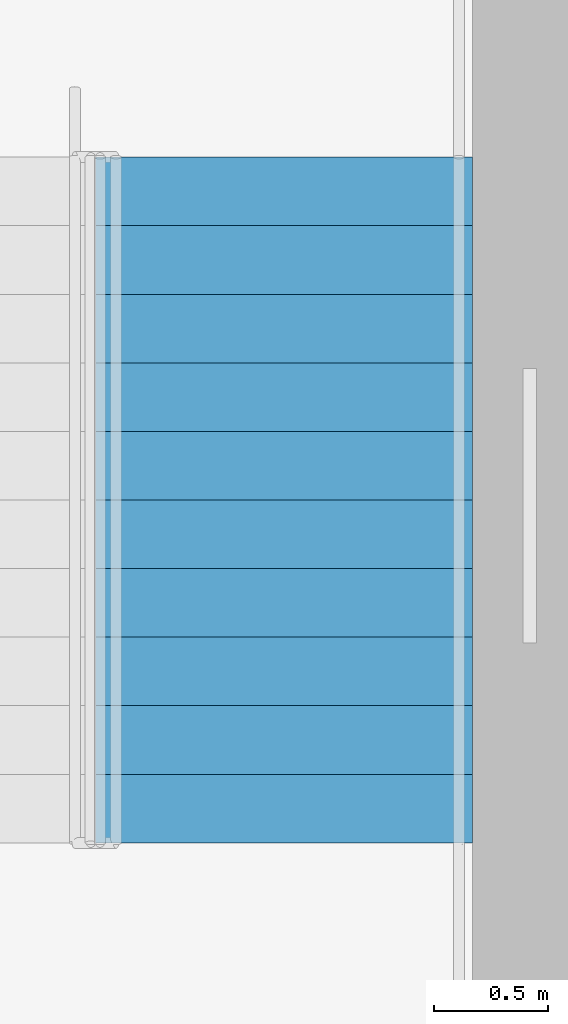
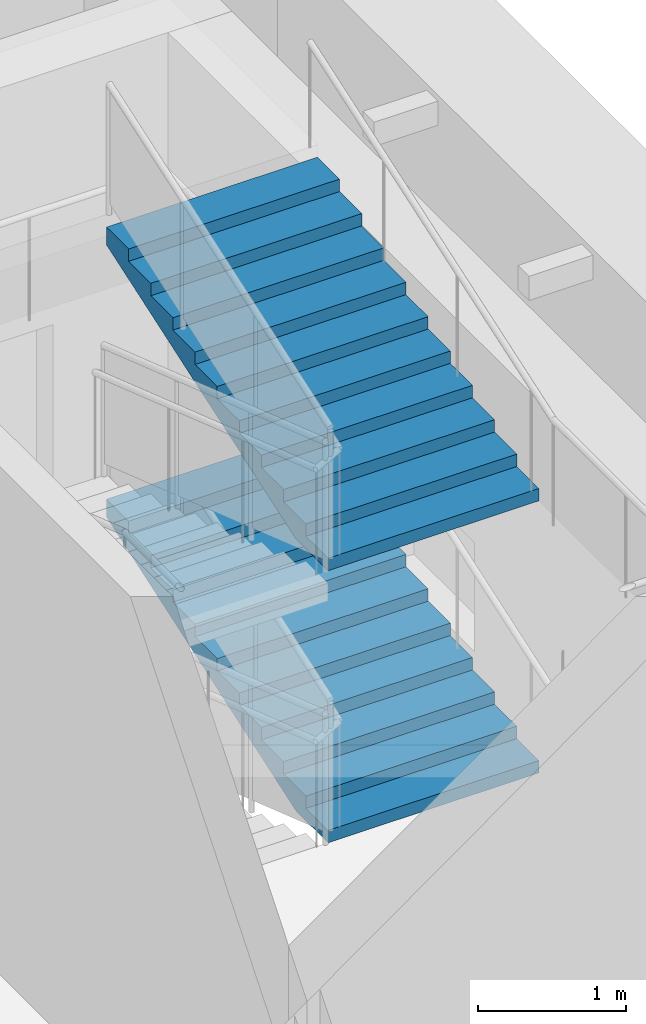
# One storey, part 43 of 56: 2 stair flights, 1 element without a shape of its own.
"""IFC4 building model written with IfcOpenShell, lengths in metres."""

from ifc_helpers import new_model, si_unit, direction, frame, origin, place, context, subcontext, project, spatial, faceted_brep, material, type_object, element, aggregate, save


model = new_model("IFC4")

# Units and contexts
model_context = context("Model", 3, precision=1e-05, world=origin(), true_north=direction((0.0, 1.0)))
body_context = subcontext(model_context, "Body", "Model", "MODEL_VIEW")
ifc_project = project(units=[si_unit("LENGTHUNIT", "METRE"), si_unit("AREAUNIT", "SQUARE_METRE"), si_unit("VOLUMEUNIT", "CUBIC_METRE"), si_unit("PLANEANGLEUNIT", "RADIAN"), si_unit("MASSUNIT", "GRAM", prefix="KILO")], contexts=[model_context])

# Site, building, storey
site_placement = place(None, origin())
site = spatial("IfcSite", under=ifc_project, at=site_placement, CompositionType="ELEMENT")
building_placement = place(site_placement, origin())
building = spatial("IfcBuilding", under=site, at=building_placement, Name="Rulbaag Community and Learning Centre", CompositionType="ELEMENT")
storey_placement = place(building_placement, frame((0.0, 0.0, 9.89990234375)))
storey = spatial("IfcBuildingStorey", under=building, at=storey_placement, Name="L02", CompositionType="ELEMENT", Elevation=9.89990234375)

# Stair, stair flights
ifc_material = material(Name="Concrete M40", Category="concrete")
stair_type = type_object("IfcStairType", Name="ST-1650 STAIR 1650 WIDE", PredefinedType="HALF_TURN_STAIR", material=ifc_material)
stair_placement = place(storey_placement, origin())
stair = element("IfcStair", 1, at=stair_placement, inside=storey, type_object=stair_type, Name="Stair ST2 L02", PredefinedType="HALF_TURN_STAIR")
stair_flight_type = type_object("IfcStairFlightType", Name="FL-1650 FLIGHT 1650 WIDE Concrete M40", PredefinedType="STRAIGHT", material=ifc_material)
stair_flight_1_placement = place(storey_placement, frame((166.675048828125, 103.925048828125, 1.125), z_axis=(0.0, 0.0, 1.0), x_axis=(0.0, 1.0, 0.0)))
stair_flight_1 = element("IfcStairFlight", 2, at=stair_flight_1_placement, type_object=stair_flight_type, Name="ST2 flight 2", NumberOfRisers=11, NumberOfTreads=10, PredefinedType="STRAIGHT", RiserHeight=0.102272727, TreadLength=0.3, context=body_context, shape_type="Brep", body=[
    faceted_brep([(0.43359375, -0.824951171875, 0.0), (3.0, -0.824951171875, 0.875), (3.0, -0.824951171875, 1.022705078125), (2.699951171875, -0.824951171875, 1.022705078125), (2.699951171875, -0.824951171875, 0.92041015625), (2.39990234375, -0.824951171875, 0.92041015625), (2.39990234375, -0.824951171875, 0.818115234375), (2.10009765625, -0.824951171875, 0.818115234375), (2.10009765625, -0.824951171875, 0.7158203125), (1.800048828125, -0.824951171875, 0.7158203125), (1.800048828125, -0.824951171875, 0.613525390625), (1.5, -0.824951171875, 0.613525390625), (1.5, -0.824951171875, 0.511474609375), (1.199951171875, -0.824951171875, 0.511474609375), (1.199951171875, -0.824951171875, 0.4091796875), (0.89990234375, -0.824951171875, 0.4091796875), (0.89990234375, -0.824951171875, 0.306884765625), (0.60009765625, -0.824951171875, 0.306884765625), (0.60009765625, -0.824951171875, 0.20458984375), (0.300048828125, -0.824951171875, 0.20458984375), (0.300048828125, -0.824951171875, 0.102294921875), (0.0, -0.824951171875, 0.102294921875), (0.0, -0.824951171875, 0.0), (0.0, 0.824951171875, 0.0), (0.0, 0.824951171875, 0.102294921875), (0.300048828125, 0.824951171875, 0.102294921875), (0.300048828125, 0.824951171875, 0.20458984375), (0.60009765625, 0.824951171875, 0.20458984375), (0.60009765625, 0.824951171875, 0.306884765625), (0.89990234375, 0.824951171875, 0.306884765625), (0.89990234375, 0.824951171875, 0.4091796875), (1.199951171875, 0.824951171875, 0.4091796875), (1.199951171875, 0.824951171875, 0.511474609375), (1.5, 0.824951171875, 0.511474609375), (1.5, 0.824951171875, 0.613525390625), (1.800048828125, 0.824951171875, 0.613525390625), (1.800048828125, 0.824951171875, 0.7158203125), (2.10009765625, 0.824951171875, 0.7158203125), (2.10009765625, 0.824951171875, 0.818115234375), (2.39990234375, 0.824951171875, 0.818115234375), (2.39990234375, 0.824951171875, 0.92041015625), (2.699951171875, 0.824951171875, 0.92041015625), (2.699951171875, 0.824951171875, 1.022705078125), (3.0, 0.824951171875, 1.022705078125), (3.0, 0.824951171875, 0.875), (0.43359375, 0.824951171875, 0.0), (0.0, 0.0, 0.102294921875), (0.0, 0.0, 0.0), (0.300048828125, 0.0, 0.102294921875), (0.300048828125, 0.0, 0.20458984375), (0.60009765625, 0.0, 0.20458984375), (0.60009765625, 0.0, 0.306884765625), (0.89990234375, 0.0, 0.306884765625), (0.89990234375, 0.0, 0.4091796875), (1.199951171875, 0.0, 0.4091796875), (1.199951171875, 0.0, 0.511474609375), (1.5, 0.0, 0.511474609375), (1.5, 0.0, 0.613525390625), (1.800048828125, 0.0, 0.613525390625), (1.800048828125, 0.0, 0.7158203125), (2.10009765625, 0.0, 0.7158203125), (2.10009765625, 0.0, 0.818115234375), (2.39990234375, 0.0, 0.818115234375), (2.39990234375, 0.0, 0.92041015625), (2.699951171875, 0.0, 0.92041015625), (2.699951171875, 0.0, 1.022705078125), (3.0, 0.0, 1.022705078125), (3.0, 0.0, 0.875), (0.43359375, 0.0, 0.0)], [[[0, 1, 2, 3, 4, 5, 6, 7, 8, 9, 10, 11, 12, 13, 14, 15, 16, 17, 18, 19, 20, 21, 22]], [[23, 24, 25, 26, 27, 28, 29, 30, 31, 32, 33, 34, 35, 36, 37, 38, 39, 40, 41, 42, 43, 44, 45]], [[22, 21, 46, 47]], [[47, 46, 24, 23]], [[21, 20, 48, 46]], [[46, 48, 25, 24]], [[20, 19, 49, 48]], [[48, 49, 26, 25]], [[19, 18, 50, 49]], [[49, 50, 27, 26]], [[18, 17, 51, 50]], [[50, 51, 28, 27]], [[17, 16, 52, 51]], [[51, 52, 29, 28]], [[16, 15, 53, 52]], [[52, 53, 30, 29]], [[15, 14, 54, 53]], [[53, 54, 31, 30]], [[14, 13, 55, 54]], [[54, 55, 32, 31]], [[13, 12, 56, 55]], [[55, 56, 33, 32]], [[12, 11, 57, 56]], [[56, 57, 34, 33]], [[11, 10, 58, 57]], [[57, 58, 35, 34]], [[10, 9, 59, 58]], [[58, 59, 36, 35]], [[9, 8, 60, 59]], [[59, 60, 37, 36]], [[8, 7, 61, 60]], [[60, 61, 38, 37]], [[7, 6, 62, 61]], [[61, 62, 39, 38]], [[6, 5, 63, 62]], [[62, 63, 40, 39]], [[5, 4, 64, 63]], [[63, 64, 41, 40]], [[4, 3, 65, 64]], [[64, 65, 42, 41]], [[3, 2, 66, 65]], [[65, 66, 43, 42]], [[2, 1, 67, 66]], [[66, 67, 44, 43]], [[1, 0, 68, 67]], [[67, 68, 45, 44]], [[0, 22, 47, 68]], [[68, 47, 23, 45]]]),
])
stair_flight_2_placement = place(storey_placement, frame((166.675048828125, 103.925048828125, 3.375), z_axis=(0.0, 0.0, 1.0), x_axis=(0.0, 1.0, 0.0)))
stair_flight_2 = element("IfcStairFlight", 3, at=stair_flight_2_placement, type_object=stair_flight_type, Name="ST2 flight 4", NumberOfRisers=11, NumberOfTreads=10, PredefinedType="STRAIGHT", RiserHeight=0.102272727, TreadLength=0.3, context=body_context, shape_type="Brep", body=[
    faceted_brep([(0.43359375, -0.824951171875, 0.0), (3.0, -0.824951171875, 0.875), (3.0, -0.824951171875, 1.022705078125), (2.699951171875, -0.824951171875, 1.022705078125), (2.699951171875, -0.824951171875, 0.92041015625), (2.39990234375, -0.824951171875, 0.92041015625), (2.39990234375, -0.824951171875, 0.818115234375), (2.10009765625, -0.824951171875, 0.818115234375), (2.10009765625, -0.824951171875, 0.7158203125), (1.800048828125, -0.824951171875, 0.7158203125), (1.800048828125, -0.824951171875, 0.613525390625), (1.5, -0.824951171875, 0.613525390625), (1.5, -0.824951171875, 0.511474609375), (1.199951171875, -0.824951171875, 0.511474609375), (1.199951171875, -0.824951171875, 0.4091796875), (0.89990234375, -0.824951171875, 0.4091796875), (0.89990234375, -0.824951171875, 0.306884765625), (0.60009765625, -0.824951171875, 0.306884765625), (0.60009765625, -0.824951171875, 0.20458984375), (0.300048828125, -0.824951171875, 0.20458984375), (0.300048828125, -0.824951171875, 0.102294921875), (0.0, -0.824951171875, 0.102294921875), (0.0, -0.824951171875, 0.0), (0.0, 0.824951171875, 0.0), (0.0, 0.824951171875, 0.102294921875), (0.300048828125, 0.824951171875, 0.102294921875), (0.300048828125, 0.824951171875, 0.20458984375), (0.60009765625, 0.824951171875, 0.20458984375), (0.60009765625, 0.824951171875, 0.306884765625), (0.89990234375, 0.824951171875, 0.306884765625), (0.89990234375, 0.824951171875, 0.4091796875), (1.199951171875, 0.824951171875, 0.4091796875), (1.199951171875, 0.824951171875, 0.511474609375), (1.5, 0.824951171875, 0.511474609375), (1.5, 0.824951171875, 0.613525390625), (1.800048828125, 0.824951171875, 0.613525390625), (1.800048828125, 0.824951171875, 0.7158203125), (2.10009765625, 0.824951171875, 0.7158203125), (2.10009765625, 0.824951171875, 0.818115234375), (2.39990234375, 0.824951171875, 0.818115234375), (2.39990234375, 0.824951171875, 0.92041015625), (2.699951171875, 0.824951171875, 0.92041015625), (2.699951171875, 0.824951171875, 1.022705078125), (3.0, 0.824951171875, 1.022705078125), (3.0, 0.824951171875, 0.875), (0.43359375, 0.824951171875, 0.0), (0.0, 0.0, 0.102294921875), (0.0, 0.0, 0.0), (0.300048828125, 0.0, 0.102294921875), (0.300048828125, 0.0, 0.20458984375), (0.60009765625, 0.0, 0.20458984375), (0.60009765625, 0.0, 0.306884765625), (0.89990234375, 0.0, 0.306884765625), (0.89990234375, 0.0, 0.4091796875), (1.199951171875, 0.0, 0.4091796875), (1.199951171875, 0.0, 0.511474609375), (1.5, 0.0, 0.511474609375), (1.5, 0.0, 0.613525390625), (1.800048828125, 0.0, 0.613525390625), (1.800048828125, 0.0, 0.7158203125), (2.10009765625, 0.0, 0.7158203125), (2.10009765625, 0.0, 0.818115234375), (2.39990234375, 0.0, 0.818115234375), (2.39990234375, 0.0, 0.92041015625), (2.699951171875, 0.0, 0.92041015625), (2.699951171875, 0.0, 1.022705078125), (3.0, 0.0, 1.022705078125), (3.0, 0.0, 0.875), (0.43359375, 0.0, 0.0)], [[[0, 1, 2, 3, 4, 5, 6, 7, 8, 9, 10, 11, 12, 13, 14, 15, 16, 17, 18, 19, 20, 21, 22]], [[23, 24, 25, 26, 27, 28, 29, 30, 31, 32, 33, 34, 35, 36, 37, 38, 39, 40, 41, 42, 43, 44, 45]], [[22, 21, 46, 47]], [[47, 46, 24, 23]], [[21, 20, 48, 46]], [[46, 48, 25, 24]], [[20, 19, 49, 48]], [[48, 49, 26, 25]], [[19, 18, 50, 49]], [[49, 50, 27, 26]], [[18, 17, 51, 50]], [[50, 51, 28, 27]], [[17, 16, 52, 51]], [[51, 52, 29, 28]], [[16, 15, 53, 52]], [[52, 53, 30, 29]], [[15, 14, 54, 53]], [[53, 54, 31, 30]], [[14, 13, 55, 54]], [[54, 55, 32, 31]], [[13, 12, 56, 55]], [[55, 56, 33, 32]], [[12, 11, 57, 56]], [[56, 57, 34, 33]], [[11, 10, 58, 57]], [[57, 58, 35, 34]], [[10, 9, 59, 58]], [[58, 59, 36, 35]], [[9, 8, 60, 59]], [[59, 60, 37, 36]], [[8, 7, 61, 60]], [[60, 61, 38, 37]], [[7, 6, 62, 61]], [[61, 62, 39, 38]], [[6, 5, 63, 62]], [[62, 63, 40, 39]], [[5, 4, 64, 63]], [[63, 64, 41, 40]], [[4, 3, 65, 64]], [[64, 65, 42, 41]], [[3, 2, 66, 65]], [[65, 66, 43, 42]], [[2, 1, 67, 66]], [[66, 67, 44, 43]], [[1, 0, 68, 67]], [[67, 68, 45, 44]], [[0, 22, 47, 68]], [[68, 47, 23, 45]]]),
])
aggregate(stair, [stair_flight_1, stair_flight_2])

save(model, "model.ifc")
